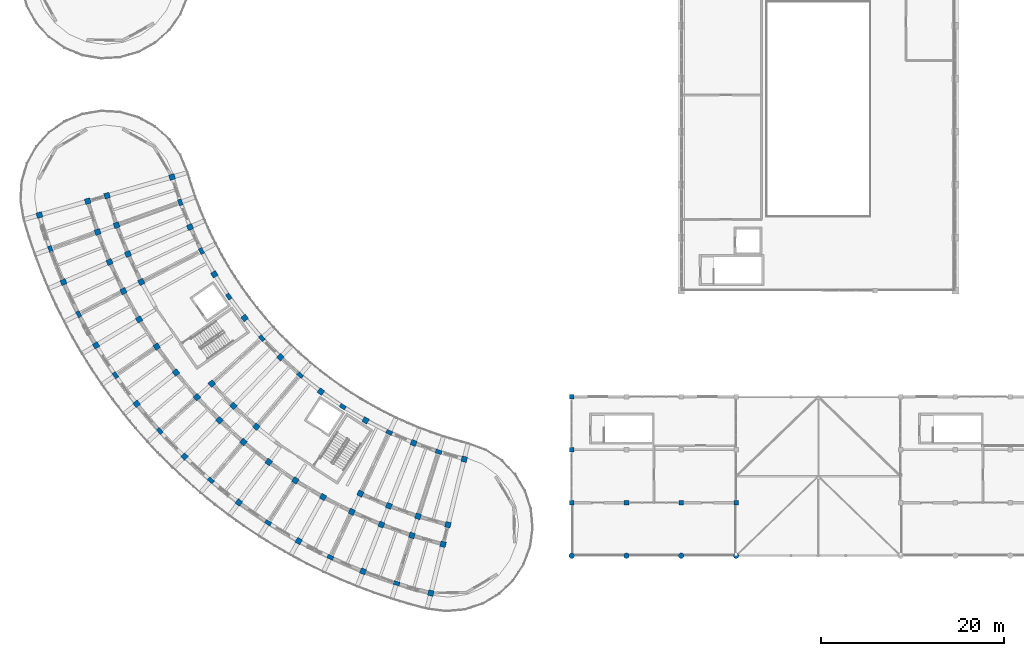
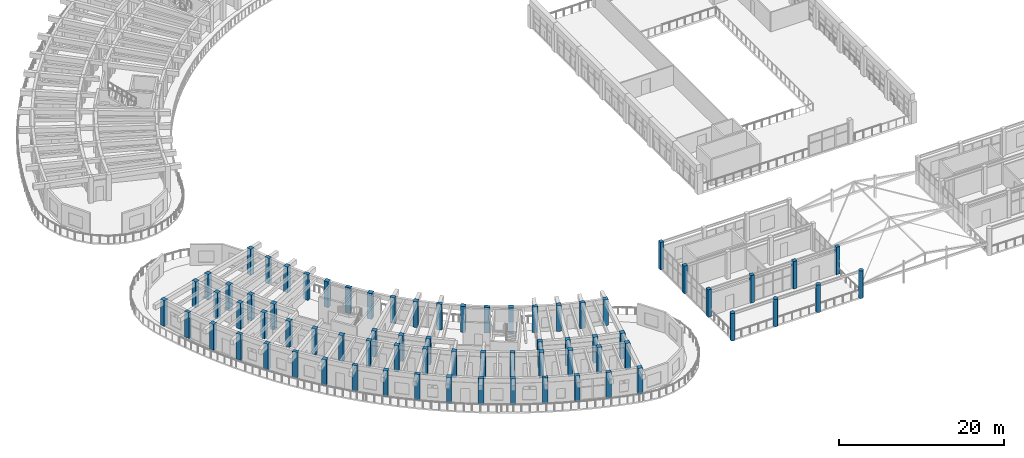
# One storey, part 1 of 128: 72 columns.
"""IFC4 building model written with IfcOpenShell, lengths in metres."""

from ifc_helpers import new_model, si_unit, direction, frame, origin, origin_2d, place, context, subcontext, project, spatial, rectangle, circle, extrude, material, material_profile, profile_set, type_object, element, save


model = new_model("IFC4")

# Units and contexts
model_context = context("Model", 3, precision=1e-05, world=origin(), true_north=direction((0.0, 1.0)))
body_context = subcontext(model_context, "Body", "Model", "MODEL_VIEW")
ifc_project = project(units=[si_unit("LENGTHUNIT", "METRE"), si_unit("AREAUNIT", "SQUARE_METRE"), si_unit("VOLUMEUNIT", "CUBIC_METRE"), si_unit("PLANEANGLEUNIT", "RADIAN"), si_unit("MASSUNIT", "GRAM", prefix="KILO")], contexts=[model_context])

# Site, building, storey
site_placement = place(None, origin())
site = spatial("IfcSite", under=ifc_project, at=site_placement, CompositionType="ELEMENT")
building_placement = place(site_placement, origin())
building = spatial("IfcBuilding", under=site, at=building_placement, Name="Tanwirah Colonnade Gardens", CompositionType="ELEMENT")
storey_placement = place(building_placement, frame((0.0, 0.0, 4.760009765625)))
storey = spatial("IfcBuildingStorey", under=building, at=storey_placement, Name="L01", CompositionType="ELEMENT", Elevation=4.760009765625)

# Columns
ifc_material_1 = material(Name="Precast concrete C40/50", Category="concrete")
ifc_material_profile_1 = material_profile(ifc_material_1, rectangle(XDim=0.5, YDim=0.5, at=origin_2d()), Name="PC-COL 500x500")
ifc_profile_set_1 = profile_set([ifc_material_profile_1], Name="Precast concrete C40/50")
column_type_1 = type_object("IfcColumnType", Name="C-PC500", PredefinedType="COLUMN", material=ifc_profile_set_1)
for number, where, z_axis, x_axis, name in (
    (1, (66.0, 16.60009765625, 0.0), (0.0, 0.0, 1.0), (1.0, 0.0, 0.0), "Boulevard Shops W L01 Column 0.1"),
    (2, (66.0, 22.39990234375, 0.0), (0.0, 0.0, 1.0), (1.0, 0.0, 0.0), "Boulevard Shops W L01 Column 0.2"),
    (3, (66.0, 28.199951171875, 0.0), (0.0, 0.0, 1.0), (1.0, 0.0, 0.0), "Boulevard Shops W L01 Column 0.3"),
    (4, (72.0, 16.60009765625, 0.0), (0.0, 0.0, 1.0), (1.0, 0.0, 0.0), "Boulevard Shops W L01 Column 1.1"),
    (5, (78.0, 16.60009765625, 0.0), (0.0, 0.0, 1.0), (1.0, 0.0, 0.0), "Boulevard Shops W L01 Column 2.1"),
    (6, (84.0, 16.60009765625, 0.0), (0.0, 0.0, 1.0), (1.0, 0.0, 0.0), "Boulevard Shops W L01 Column 3.1"),
):
    element("IfcColumn", number, at=place(storey_placement, frame(where, z_axis=z_axis, x_axis=x_axis)), inside=storey, type_object=column_type_1, Name=name, PredefinedType="COLUMN", context=body_context, shape_type="SweptSolid", body=[
        extrude(rectangle(XDim=0.5, YDim=0.5, at=origin_2d()), origin(), (0.0, 0.0, 1.0), 4.080078125),
    ])
ifc_material_2 = material(Name="Precast concrete C45/55", Category="concrete")
ifc_material_profile_2 = material_profile(ifc_material_2, rectangle(XDim=0.610107421875, YDim=0.610107421875, at=origin_2d()), Name="PC-COL 610x610")
ifc_profile_set_2 = profile_set([ifc_material_profile_2], Name="Precast concrete C45/55")
column_type_2 = type_object("IfcColumnType", Name="C-PC580", PredefinedType="COLUMN", material=ifc_profile_set_2)
for number, where, z_axis, x_axis, name in (
    (7, (22.27197265625, 52.247802734375, 0.0), (0.0, 0.0, 1.0), (-0.961261695938, -0.275637355817, 0.0), "Block C L01 Column 0-R0"),
    (8, (15.15869140625, 50.208251953125, 0.0), (0.0, 0.0, 1.0), (-0.961261695938, -0.275637355817, 0.0), "Block C L01 Column 0-R1"),
    (9, (13.043701171875, 49.601806640625, 0.0), (0.0, 0.0, 1.0), (-0.961261695938, -0.275637355817, 0.0), "Block C L01 Column 0-R2"),
    (10, (7.7568359375, 48.085693359375, 0.0), (0.0, 0.0, 1.0), (-0.961261695938, -0.275637355817, 0.0), "Block C L01 Column 0-R3"),
    (11, (16.199951171875, 46.97900390625, 0.0), (0.0, 0.0, 1.0), (-0.941176015256, -0.337916718003, 0.0), "Block C L01 Column 1-R1"),
    (12, (14.12939453125, 46.235595703125, 0.0), (0.0, 0.0, 1.0), (-0.941176015256, -0.337916718003, 0.0), "Block C L01 Column 1-R2"),
    (13, (24.236572265625, 46.775634765625, 0.0), (0.0, 0.0, 1.0), (-0.917060074385, -0.398749068925, 0.0), "Block C L01 Column 2-R0"),
    (14, (17.450439453125, 43.824951171875, 0.0), (0.0, 0.0, 1.0), (-0.917060074385, -0.398749068925, 0.0), "Block C L01 Column 2-R1"),
    (15, (15.432861328125, 42.947509765625, 0.0), (0.0, 0.0, 1.0), (-0.917060074385, -0.398749068925, 0.0), "Block C L01 Column 2-R2"),
    (16, (10.38916015625, 40.75439453125, 0.0), (0.0, 0.0, 1.0), (-0.917060074385, -0.398749068925, 0.0), "Block C L01 Column 2-R3"),
    (17, (18.904541015625, 40.75927734375, 0.0), (0.0, 0.0, 1.0), (-0.889017141486, -0.457873915117, 0.0), "Block C L01 Column 3-R1"),
    (18, (16.94873046875, 39.751953125, 0.0), (0.0, 0.0, 1.0), (-0.889017141486, -0.457873915117, 0.0), "Block C L01 Column 3-R2"),
    (19, (26.89892578125, 41.6064453125, 0.0), (0.0, 0.0, 1.0), (-0.857167300702, -0.51503807491, 0.0), "Block C L01 Column 4-R0"),
    (20, (18.670166015625, 36.662109375, 0.0), (0.0, 0.0, 1.0), (-0.857167300702, -0.51503807491, 0.0), "Block C L01 Column 4-R2"),
    (21, (13.95556640625, 33.82958984375, 0.0), (0.0, 0.0, 1.0), (-0.857167300702, -0.51503807491, 0.0), "Block C L01 Column 4-R3"),
    (22, (20.590087890625, 33.691650390625, 0.0), (0.0, 0.0, 1.0), (-0.821646937942, -0.569996762596, 0.0), "Block C L01 Column 5-R2"),
    (23, (30.213134765625, 36.829345703125, 0.0), (0.0, 0.0, 1.0), (-0.782608156852, -0.622514636638, 0.0), "Block C L01 Column 6-R0"),
    (24, (22.699951171875, 30.85302734375, 0.0), (0.0, 0.0, 1.0), (-0.782608156852, -0.622514636638, 0.0), "Block C L01 Column 6-R2"),
    (25, (18.395751953125, 27.42919921875, 0.0), (0.0, 0.0, 1.0), (-0.782608156852, -0.622514636638, 0.0), "Block C L01 Column 6-R3"),
    (26, (26.61962890625, 29.6376953125, 0.0), (0.0, 0.0, 1.0), (-0.740218127487, -0.672366807435, 0.0), "Block C L01 Column 7-R1"),
    (27, (24.9912109375, 28.15869140625, 0.0), (0.0, 0.0, 1.0), (-0.740218127487, -0.672366807435, 0.0), "Block C L01 Column 7-R2"),
    (28, (34.122314453125, 32.525390625, 0.0), (0.0, 0.0, 1.0), (-0.694658370459, -0.719339800339, 0.0), "Block C L01 Column 8-R0"),
    (29, (28.98193359375, 27.2021484375, 0.0), (0.0, 0.0, 1.0), (-0.694658370459, -0.719339800339, 0.0), "Block C L01 Column 8-R1"),
    (30, (27.45361328125, 25.61962890625, 0.0), (0.0, 0.0, 1.0), (-0.694658370459, -0.719339800339, 0.0), "Block C L01 Column 8-R2"),
    (31, (23.633056640625, 21.663330078125, 0.0), (0.0, 0.0, 1.0), (-0.694658370459, -0.719339800339, 0.0), "Block C L01 Column 8-R3"),
    (32, (31.49853515625, 24.926513671875, 0.0), (0.0, 0.0, 1.0), (-0.646123979643, -0.763232469783, 0.0), "Block C L01 Column 9-R1"),
    (33, (30.076904296875, 23.247314453125, 0.0), (0.0, 0.0, 1.0), (-0.646123979643, -0.763232469783, 0.0), "Block C L01 Column 9-R2"),
    (34, (38.56005859375, 28.7685546875, 0.0), (0.0, 0.0, 1.0), (-0.594822786751, -0.803856860617, 0.0), "Block C L01 Column 10-R0"),
    (35, (32.849853515625, 21.051513671875, 0.0), (0.0, 0.0, 1.0), (-0.594822786751, -0.803856860617, 0.0), "Block C L01 Column 10-R2"),
    (36, (29.578369140625, 16.63037109375, 0.0), (0.0, 0.0, 1.0), (-0.594822786751, -0.803856860617, 0.0), "Block C L01 Column 10-R3"),
    (37, (35.76025390625, 19.041748046875, 0.0), (0.0, 0.0, 1.0), (-0.540974471368, -0.841039012964, 0.0), "Block C L01 Column 11-R2"),
    (38, (43.4501953125, 25.623046875, 0.0), (0.0, 0.0, 1.0), (-0.484809620246, -0.874619707139, 0.0), "Block C L01 Column 12-R0"),
    (39, (38.796142578125, 17.226806640625, 0.0), (0.0, 0.0, 1.0), (-0.484809620246, -0.874619707139, 0.0), "Block C L01 Column 12-R2"),
    (40, (36.129638671875, 12.41650390625, 0.0), (0.0, 0.0, 1.0), (-0.484809620246, -0.874619707139, 0.0), "Block C L01 Column 12-R3"),
    (41, (42.88232421875, 17.60400390625, 0.0), (0.0, 0.0, 1.0), (-0.426568739901, -0.904455145454, 0.0), "Block C L01 Column 13-R1"),
    (42, (41.94384765625, 15.6142578125, 0.0), (0.0, 0.0, 1.0), (-0.426568739901, -0.904455145454, 0.0), "Block C L01 Column 13-R2"),
    (43, (48.708984375, 23.142822265625, 0.0), (0.0, 0.0, 1.0), (-0.366501226724, -0.930417567982, 0.0), "Block C L01 Column 14-R0"),
    (44, (45.996826171875, 16.2578125, 0.0), (0.0, 0.0, 1.0), (-0.366501226724, -0.930417567982, 0.0), "Block C L01 Column 14-R1"),
    (45, (45.190673828125, 14.2109375, 0.0), (0.0, 0.0, 1.0), (-0.366501226724, -0.930417567982, 0.0), "Block C L01 Column 14-R2"),
    (46, (43.1748046875, 9.09375, 0.0), (0.0, 0.0, 1.0), (-0.366501226724, -0.930417567982, 0.0), "Block C L01 Column 14-R3"),
    (47, (49.19287109375, 15.1181640625, 0.0), (0.0, 0.0, 1.0), (-0.304864299028, -0.952395799643, 0.0), "Block C L01 Column 15-R1"),
    (48, (48.52197265625, 13.02294921875, 0.0), (0.0, 0.0, 1.0), (-0.304864299028, -0.952395799643, 0.0), "Block C L01 Column 15-R2"),
    (49, (54.24658203125, 21.370361328125, 0.0), (0.0, 0.0, 1.0), (-0.2419218956, -0.970295726276, 0.0), "Block C L01 Column 16-R0"),
    (50, (52.456298828125, 14.190185546875, 0.0), (0.0, 0.0, 1.0), (-0.2419218956, -0.970295726276, 0.0), "Block C L01 Column 16-R1"),
    (51, (51.924072265625, 12.055419921875, 0.0), (0.0, 0.0, 1.0), (-0.2419218956, -0.970295726276, 0.0), "Block C L01 Column 16-R2"),
    (52, (50.593505859375, 6.718994140625, 0.0), (0.0, 0.0, 1.0), (-0.2419218956, -0.970295726276, 0.0), "Block C L01 Column 16-R3"),
):
    element("IfcColumn", number, at=place(storey_placement, frame(where, z_axis=z_axis, x_axis=x_axis)), inside=storey, type_object=column_type_2, Name=name, PredefinedType="COLUMN", context=body_context, shape_type="SweptSolid", body=[
        extrude(rectangle(XDim=0.610107421875, YDim=0.610107421875, at=origin_2d()), origin(), (0.0, 0.0, 1.0), 3.824951171875),
    ])
ifc_material_profile_3 = material_profile(ifc_material_1, circle(Radius=0.300048828125, at=origin_2d()), Name="PC-DCOL D600")
ifc_profile_set_3 = profile_set([ifc_material_profile_3], Name="Precast concrete C40/50")
column_type_3 = type_object("IfcColumnType", Name="DCOL-600", PredefinedType="COLUMN", material=ifc_profile_set_3)
for number, where, z_axis, x_axis, name in (
    (53, (66.0, 10.800048828125, 0.0), (0.0, 0.0, 1.0), (1.0, 0.0, 0.0), "Boulevard Shops W L01 Column 0.0"),
    (54, (72.0, 10.800048828125, 0.0), (0.0, 0.0, 1.0), (1.0, 0.0, 0.0), "Boulevard Shops W L01 Column 1.0"),
    (55, (78.0, 10.800048828125, 0.0), (0.0, 0.0, 1.0), (1.0, 0.0, 0.0), "Boulevard Shops W L01 Column 2.0"),
    (56, (84.0, 10.800048828125, 0.0), (0.0, 0.0, 1.0), (1.0, 0.0, 0.0), "Boulevard Shops W L01 Column 3.0"),
):
    element("IfcColumn", number, at=place(storey_placement, frame(where, z_axis=z_axis, x_axis=x_axis)), inside=storey, type_object=column_type_3, Name=name, PredefinedType="COLUMN", context=body_context, shape_type="SweptSolid", body=[
        extrude(circle(Radius=0.300048828125, at=origin_2d()), origin(), (0.0, 0.0, 1.0), 4.080078125),
    ])
ifc_material_profile_4 = material_profile(ifc_material_2, rectangle(XDim=0.429931640625, YDim=0.68994140625, at=origin_2d()), Name="PC-PIL 430x690")
ifc_profile_set_4 = profile_set([ifc_material_profile_4], Name="Precast concrete C45/55")
column_type_4 = type_object("IfcColumnType", Name="PIL-400", PredefinedType="PILASTER", material=ifc_profile_set_4)
for number, where, z_axis, x_axis, name in (
    (57, (23.164794921875, 49.4794921875, 0.0), (0.0, 0.0, 1.0), (-0.941176015256, -0.337916718003, 0.0), "Block C L01 Column 1-R0"),
    (58, (8.952880859375, 44.376953125, 0.0), (0.0, 0.0, 1.0), (-0.941176015256, -0.337916718003, 0.0), "Block C L01 Column 1-R3"),
    (59, (25.483154296875, 44.1474609375, 0.0), (0.0, 0.0, 1.0), (-0.889017141486, -0.457873915117, 0.0), "Block C L01 Column 3-R0"),
    (60, (12.05908203125, 37.233642578125, 0.0), (0.0, 0.0, 1.0), (-0.889017141486, -0.457873915117, 0.0), "Block C L01 Column 3-R3"),
    (61, (28.477783203125, 39.16357421875, 0.0), (0.0, 0.0, 1.0), (-0.821646937942, -0.569996762596, 0.0), "Block C L01 Column 5-R0"),
    (62, (16.071044921875, 30.556640625, 0.0), (0.0, 0.0, 1.0), (-0.821646937942, -0.569996762596, 0.0), "Block C L01 Column 5-R3"),
    (63, (32.097412109375, 34.61328125, 0.0), (0.0, 0.0, 1.0), (-0.740218127487, -0.672366807435, 0.0), "Block C L01 Column 7-R0"),
    (64, (20.919921875, 24.46044921875, 0.0), (0.0, 0.0, 1.0), (-0.740218127487, -0.672366807435, 0.0), "Block C L01 Column 7-R3"),
    (65, (36.27978515625, 30.57421875, 0.0), (0.0, 0.0, 1.0), (-0.646123979643, -0.763232469783, 0.0), "Block C L01 Column 9-R0"),
    (66, (26.5234375, 19.049560546875, 0.0), (0.0, 0.0, 1.0), (-0.646123979643, -0.763232469783, 0.0), "Block C L01 Column 9-R3"),
    (67, (40.95361328125, 27.11572265625, 0.0), (0.0, 0.0, 1.0), (-0.540974471368, -0.841039012964, 0.0), "Block C L01 Column 11-R0"),
    (68, (32.784912109375, 14.416015625, 0.0), (0.0, 0.0, 1.0), (-0.540974471368, -0.841039012964, 0.0), "Block C L01 Column 11-R3"),
    (69, (46.0390625, 24.296875, 0.0), (0.0, 0.0, 1.0), (-0.426568739901, -0.904455145454, 0.0), "Block C L01 Column 13-R0"),
    (70, (39.597900390625, 10.6396484375, 0.0), (0.0, 0.0, 1.0), (-0.426568739901, -0.904455145454, 0.0), "Block C L01 Column 13-R3"),
    (71, (51.44873046875, 22.166015625, 0.0), (0.0, 0.0, 1.0), (-0.304864299028, -0.952395799643, 0.0), "Block C L01 Column 15-R0"),
    (72, (46.84521484375, 7.784912109375, 0.0), (0.0, 0.0, 1.0), (-0.304864299028, -0.952395799643, 0.0), "Block C L01 Column 15-R3"),
):
    element("IfcColumn", number, at=place(storey_placement, frame(where, z_axis=z_axis, x_axis=x_axis)), inside=storey, type_object=column_type_4, Name=name, PredefinedType="PILASTER", context=body_context, shape_type="SweptSolid", body=[
        extrude(rectangle(XDim=0.429931640625, YDim=0.68994140625, at=origin_2d()), origin(), (0.0, 0.0, 1.0), 3.824951171875),
    ])

save(model, "model.ifc")
